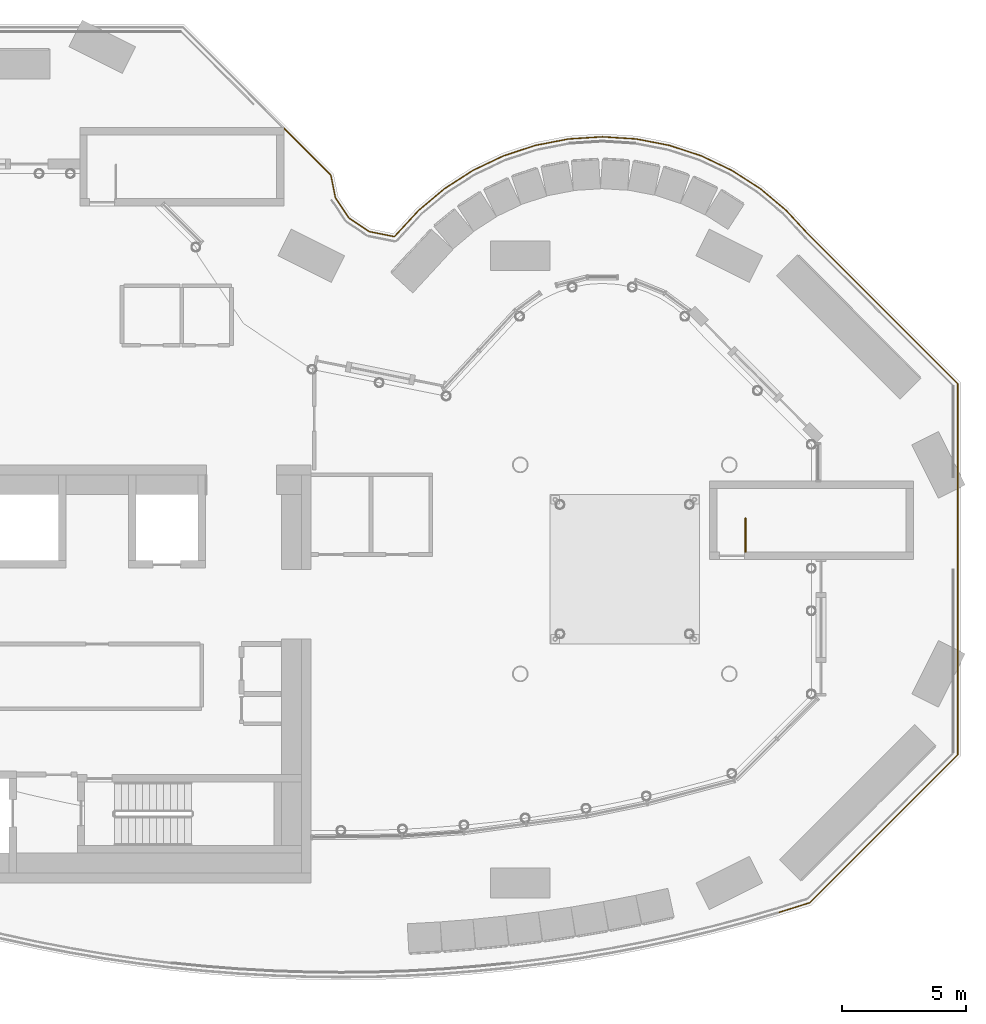
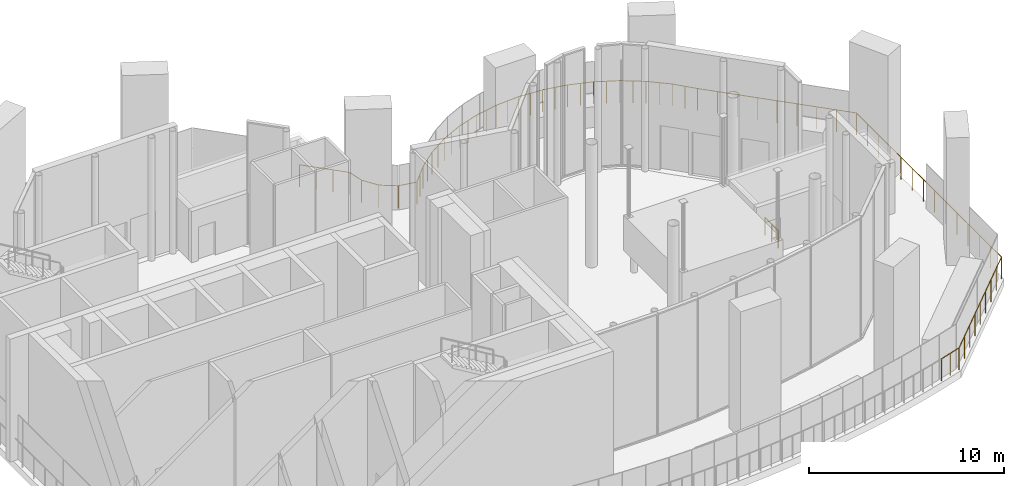
# One storey, part 14 of 14: 2 railings.
"""IFC4 building model written with IfcOpenShell, lengths in metres."""

from ifc_helpers import new_model, si_unit, direction, frame, origin, origin_2d, place, context, subcontext, project, spatial, circle, extrude, material, type_object, element, save


model = new_model("IFC4")

# Units and contexts
model_context = context("Model", 3, precision=1e-05, world=origin(), true_north=direction((0.0, 1.0)))
body_context = subcontext(model_context, "Body", "Model", "MODEL_VIEW")
ifc_project = project(units=[si_unit("LENGTHUNIT", "METRE"), si_unit("AREAUNIT", "SQUARE_METRE"), si_unit("VOLUMEUNIT", "CUBIC_METRE"), si_unit("PLANEANGLEUNIT", "RADIAN"), si_unit("MASSUNIT", "GRAM", prefix="KILO")], contexts=[model_context])

# Site, building, storey
site_placement = place(None, origin())
site = spatial("IfcSite", under=ifc_project, at=site_placement, CompositionType="ELEMENT")
building_placement = place(site_placement, origin())
building = spatial("IfcBuilding", under=site, at=building_placement, Name="Brevane Broadcast Tower", CompositionType="ELEMENT")
storey_placement = place(building_placement, frame((0.0, 0.0, 256.199951171875)))
storey = spatial("IfcBuildingStorey", under=building, at=storey_placement, Name="L65", CompositionType="ELEMENT", Elevation=256.199951171875)

# Railings
ifc_material_1 = material(Name="Stainless steel 1.4404", Category="steel")
railing_type_1 = type_object("IfcRailingType", Name="Deck guard 1400", PredefinedType="GUARDRAIL", material=ifc_material_1)
railing_1_placement = place(storey_placement, frame((24.10009765625, 30.330322265625, 0.0)))
element("IfcRailing", 1, at=railing_1_placement, inside=storey, type_object=railing_type_1, Name="Deck guard", PredefinedType="GUARDRAIL", context=body_context, shape_type="SweptSolid", body=[
    extrude(circle(Radius=0.02392578125, at=origin_2d()), frame((0.0, 0.0, 1.3759765625), z_axis=(0.707106781187, -0.707106781187, 0.0), x_axis=(0.707106781187, 0.707106781187, 0.0)), (0.0, 0.0, 1.0), 2.672119140625),
    extrude(circle(Radius=0.02392578125, at=origin_2d()), frame((1.889404296875, -1.889404296875, 1.3759765625), z_axis=(0.194998132227, -0.980803613588, 0.0), x_axis=(0.980803613588, 0.194998132227, 0.0)), (0.0, 0.0, 1.0), 0.924072265625),
    extrude(circle(Radius=0.02392578125, at=origin_2d()), frame((2.069580078125, -2.795654296875, 1.3759765625), z_axis=(0.555444205067, -0.831553807674, 0.0), x_axis=(0.831553807674, 0.555444205067, 0.0)), (0.0, 0.0, 1.0), 0.984130859375),
    extrude(circle(Radius=0.02392578125, at=origin_2d()), frame((2.6162109375, -3.614013671875, 1.3759765625), z_axis=(0.831553807674, -0.555444205067, 0.0), x_axis=(0.555444205067, 0.831553807674, 0.0)), (0.0, 0.0, 1.0), 0.984130859375),
    extrude(circle(Radius=0.02392578125, at=origin_2d()), frame((3.4345703125, -4.16064453125, 1.3759765625), z_axis=(0.980790292353, -0.195065123552, 0.0), x_axis=(0.195065123552, 0.980790292353, 0.0)), (0.0, 0.0, 1.0), 1.027587890625),
    extrude(circle(Radius=0.02392578125, at=origin_2d()), frame((4.4423828125, -4.361083984375, 1.3759765625), z_axis=(0.67842872703, 0.734666225126, 0.0), x_axis=(-0.734666225126, 0.67842872703, 0.0)), (0.0, 0.0, 1.0), 1.4326171875),
    extrude(circle(Radius=0.02392578125, at=origin_2d()), frame((5.414306640625, -3.30859375, 1.3759765625), z_axis=(0.765842999644, 0.643027604303, 0.0), x_axis=(-0.643027604303, 0.765842999644, 0.0)), (0.0, 0.0, 1.0), 1.357666015625),
    extrude(circle(Radius=0.02392578125, at=origin_2d()), frame((6.4541015625, -2.435546875, 1.3759765625), z_axis=(0.841120050608, 0.540848463495, 0.0), x_axis=(-0.540848463495, 0.841120050608, 0.0)), (0.0, 0.0, 1.0), 1.35791015625),
    extrude(circle(Radius=0.02392578125, at=origin_2d()), frame((7.59619140625, -1.701171875, 1.3759765625), z_axis=(0.902857195022, 0.429940560306, 0.0), x_axis=(-0.429940560306, 0.902857195022, 0.0)), (0.0, 0.0, 1.0), 1.357666015625),
    extrude(circle(Radius=0.02392578125, at=origin_2d()), frame((8.822021484375, -1.117431640625, 1.3759765625), z_axis=(0.950023368499, 0.312178793813, 0.0), x_axis=(-0.312178793813, 0.950023368499, 0.0)), (0.0, 0.0, 1.0), 1.357666015625),
    extrude(circle(Radius=0.02392578125, at=origin_2d()), frame((10.11181640625, -0.693603515625, 1.3759765625), z_axis=(0.981939682396, 0.189194239172, 0.0), x_axis=(-0.189194239172, 0.981939682396, 0.0)), (0.0, 0.0, 1.0), 1.357421875),
    extrude(circle(Radius=0.02392578125, at=origin_2d()), frame((11.44482421875, -0.436767578125, 1.3759765625), z_axis=(0.997983407217, 0.063475341036, 0.0), x_axis=(-0.063475341036, 0.997983407217, 0.0)), (0.0, 0.0, 1.0), 1.357666015625),
    extrude(circle(Radius=0.02392578125, at=origin_2d()), frame((12.7998046875, -0.3505859375, 1.3759765625), z_axis=(0.997983407217, -0.063475341036, 0.0), x_axis=(0.063475341036, 0.997983407217, 0.0)), (0.0, 0.0, 1.0), 1.357666015625),
    extrude(circle(Radius=0.02392578125, at=origin_2d()), frame((14.15478515625, -0.436767578125, 1.3759765625), z_axis=(0.981946118054, -0.189160834315, 0.0), x_axis=(0.189160834315, 0.981946118054, 0.0)), (0.0, 0.0, 1.0), 1.357666015625),
    extrude(circle(Radius=0.02392578125, at=origin_2d()), frame((15.488037109375, -0.693603515625, 1.3759765625), z_axis=(0.950023368499, -0.312178793813, 0.0), x_axis=(0.312178793813, 0.950023368499, 0.0)), (0.0, 0.0, 1.0), 1.357666015625),
    extrude(circle(Radius=0.02392578125, at=origin_2d()), frame((16.77783203125, -1.117431640625, 1.3759765625), z_axis=(0.902857195022, -0.429940560306, 0.0), x_axis=(0.429940560306, 0.902857195022, 0.0)), (0.0, 0.0, 1.0), 1.357666015625),
    extrude(circle(Radius=0.02392578125, at=origin_2d()), frame((18.003662109375, -1.701171875, 1.3759765625), z_axis=(0.841120050608, -0.540848463495, 0.0), x_axis=(0.540848463495, 0.841120050608, 0.0)), (0.0, 0.0, 1.0), 1.35791015625),
    extrude(circle(Radius=0.02392578125, at=origin_2d()), frame((19.145751953125, -2.435546875, 1.3759765625), z_axis=(0.765842999644, -0.643027604303, 0.0), x_axis=(0.643027604303, 0.765842999644, 0.0)), (0.0, 0.0, 1.0), 1.357666015625),
    extrude(circle(Radius=0.02392578125, at=origin_2d()), frame((20.185546875, -3.30859375, 1.3759765625), z_axis=(0.678339413874, -0.734748691449, 0.0), x_axis=(0.734748691449, 0.678339413874, 0.0)), (0.0, 0.0, 1.0), 1.36767578125),
    extrude(circle(Radius=0.02392578125, at=origin_2d()), frame((21.11328125, -4.3134765625, 1.3759765625), z_axis=(0.707106781187, -0.707106781187, 0.0), x_axis=(0.707106781187, 0.707106781187, 0.0)), (0.0, 0.0, 1.0), 8.43798828125),
    extrude(circle(Radius=0.02392578125, at=origin_2d()), frame((27.079833984375, -10.280029296875, 1.3759765625), z_axis=(0.0, -1.0, 0.0), x_axis=(1.0, 0.0, 0.0)), (0.0, 0.0, 1.0), 14.900634765625),
    extrude(circle(Radius=0.02392578125, at=origin_2d()), frame((27.079833984375, -25.1806640625, 1.3759765625), z_axis=(-0.707106781187, -0.707106781187, 0.0), x_axis=(0.707106781187, -0.707106781187, 0.0)), (0.0, 0.0, 1.0), 8.40576171875),
    extrude(circle(Radius=0.02392578125, at=origin_2d()), frame((21.135986328125, -31.12451171875, 1.3759765625), z_axis=(-0.9542758007, -0.298927576845, 0.0), x_axis=(0.298927576845, -0.9542758007, 0.0)), (0.0, 0.0, 1.0), 1.341796875),
    extrude(circle(Radius=0.02099609375, at=origin_2d()), origin(), (0.0, 0.0, 1.0), 1.351806640625),
    extrude(circle(Radius=0.02099609375, at=origin_2d()), frame((0.6298828125, -0.6298828125, 0.0)), (0.0, 0.0, 1.0), 1.351806640625),
    extrude(circle(Radius=0.02099609375, at=origin_2d()), frame((1.259521484375, -1.259521484375, 0.0)), (0.0, 0.0, 1.0), 1.351806640625),
    extrude(circle(Radius=0.02099609375, at=origin_2d()), frame((1.889404296875, -1.889404296875, 0.0)), (0.0, 0.0, 1.0), 1.351806640625),
    extrude(circle(Radius=0.02099609375, at=origin_2d()), frame((2.069580078125, -2.795654296875, 0.0)), (0.0, 0.0, 1.0), 1.351806640625),
    extrude(circle(Radius=0.02099609375, at=origin_2d()), frame((2.6162109375, -3.614013671875, 0.0)), (0.0, 0.0, 1.0), 1.351806640625),
    extrude(circle(Radius=0.02099609375, at=origin_2d()), frame((3.4345703125, -4.16064453125, 0.0)), (0.0, 0.0, 1.0), 1.351806640625),
    extrude(circle(Radius=0.02099609375, at=origin_2d()), frame((4.4423828125, -4.361083984375, 0.0)), (0.0, 0.0, 1.0), 1.351806640625),
    extrude(circle(Radius=0.02099609375, at=origin_2d()), frame((4.92822265625, -3.8349609375, 0.0)), (0.0, 0.0, 1.0), 1.351806640625),
    extrude(circle(Radius=0.02099609375, at=origin_2d()), frame((5.414306640625, -3.30859375, 0.0)), (0.0, 0.0, 1.0), 1.351806640625),
    extrude(circle(Radius=0.02099609375, at=origin_2d()), frame((5.93408203125, -2.8720703125, 0.0)), (0.0, 0.0, 1.0), 1.351806640625),
    extrude(circle(Radius=0.02099609375, at=origin_2d()), frame((6.4541015625, -2.435546875, 0.0)), (0.0, 0.0, 1.0), 1.351806640625),
    extrude(circle(Radius=0.02099609375, at=origin_2d()), frame((7.025146484375, -2.068359375, 0.0)), (0.0, 0.0, 1.0), 1.351806640625),
    extrude(circle(Radius=0.02099609375, at=origin_2d()), frame((7.59619140625, -1.701171875, 0.0)), (0.0, 0.0, 1.0), 1.351806640625),
    extrude(circle(Radius=0.02099609375, at=origin_2d()), frame((8.208984375, -1.4091796875, 0.0)), (0.0, 0.0, 1.0), 1.351806640625),
    extrude(circle(Radius=0.02099609375, at=origin_2d()), frame((8.822021484375, -1.117431640625, 0.0)), (0.0, 0.0, 1.0), 1.351806640625),
    extrude(circle(Radius=0.02099609375, at=origin_2d()), frame((9.466796875, -0.905517578125, 0.0)), (0.0, 0.0, 1.0), 1.351806640625),
    extrude(circle(Radius=0.02099609375, at=origin_2d()), frame((10.11181640625, -0.693603515625, 0.0)), (0.0, 0.0, 1.0), 1.351806640625),
    extrude(circle(Radius=0.02099609375, at=origin_2d()), frame((10.7783203125, -0.565185546875, 0.0)), (0.0, 0.0, 1.0), 1.351806640625),
    extrude(circle(Radius=0.02099609375, at=origin_2d()), frame((11.44482421875, -0.436767578125, 0.0)), (0.0, 0.0, 1.0), 1.351806640625),
    extrude(circle(Radius=0.02099609375, at=origin_2d()), frame((12.122314453125, -0.3935546875, 0.0)), (0.0, 0.0, 1.0), 1.351806640625),
    extrude(circle(Radius=0.02099609375, at=origin_2d()), frame((12.7998046875, -0.3505859375, 0.0)), (0.0, 0.0, 1.0), 1.351806640625),
    extrude(circle(Radius=0.02099609375, at=origin_2d()), frame((13.477294921875, -0.3935546875, 0.0)), (0.0, 0.0, 1.0), 1.351806640625),
    extrude(circle(Radius=0.02099609375, at=origin_2d()), frame((14.15478515625, -0.436767578125, 0.0)), (0.0, 0.0, 1.0), 1.351806640625),
    extrude(circle(Radius=0.02099609375, at=origin_2d()), frame((14.8212890625, -0.565185546875, 0.0)), (0.0, 0.0, 1.0), 1.351806640625),
    extrude(circle(Radius=0.02099609375, at=origin_2d()), frame((15.488037109375, -0.693603515625, 0.0)), (0.0, 0.0, 1.0), 1.351806640625),
    extrude(circle(Radius=0.02099609375, at=origin_2d()), frame((16.1328125, -0.905517578125, 0.0)), (0.0, 0.0, 1.0), 1.351806640625),
    extrude(circle(Radius=0.02099609375, at=origin_2d()), frame((16.77783203125, -1.117431640625, 0.0)), (0.0, 0.0, 1.0), 1.351806640625),
    extrude(circle(Radius=0.02099609375, at=origin_2d()), frame((17.390625, -1.4091796875, 0.0)), (0.0, 0.0, 1.0), 1.351806640625),
    extrude(circle(Radius=0.02099609375, at=origin_2d()), frame((18.003662109375, -1.701171875, 0.0)), (0.0, 0.0, 1.0), 1.351806640625),
    extrude(circle(Radius=0.02099609375, at=origin_2d()), frame((18.57470703125, -2.068359375, 0.0)), (0.0, 0.0, 1.0), 1.351806640625),
    extrude(circle(Radius=0.02099609375, at=origin_2d()), frame((19.145751953125, -2.435546875, 0.0)), (0.0, 0.0, 1.0), 1.351806640625),
    extrude(circle(Radius=0.02099609375, at=origin_2d()), frame((19.66552734375, -2.8720703125, 0.0)), (0.0, 0.0, 1.0), 1.351806640625),
    extrude(circle(Radius=0.02099609375, at=origin_2d()), frame((20.185546875, -3.30859375, 0.0)), (0.0, 0.0, 1.0), 1.351806640625),
    extrude(circle(Radius=0.02099609375, at=origin_2d()), frame((20.6494140625, -3.81103515625, 0.0)), (0.0, 0.0, 1.0), 1.351806640625),
    extrude(circle(Radius=0.02099609375, at=origin_2d()), frame((21.11328125, -4.3134765625, 0.0)), (0.0, 0.0, 1.0), 1.351806640625),
    extrude(circle(Radius=0.02099609375, at=origin_2d()), frame((21.859130859375, -5.059326171875, 0.0)), (0.0, 0.0, 1.0), 1.351806640625),
    extrude(circle(Radius=0.02099609375, at=origin_2d()), frame((22.60498046875, -5.80517578125, 0.0)), (0.0, 0.0, 1.0), 1.351806640625),
    extrude(circle(Radius=0.02099609375, at=origin_2d()), frame((23.350830078125, -6.551025390625, 0.0)), (0.0, 0.0, 1.0), 1.351806640625),
    extrude(circle(Radius=0.02099609375, at=origin_2d()), frame((24.0966796875, -7.296875, 0.0)), (0.0, 0.0, 1.0), 1.351806640625),
    extrude(circle(Radius=0.02099609375, at=origin_2d()), frame((24.84228515625, -8.04248046875, 0.0)), (0.0, 0.0, 1.0), 1.351806640625),
    extrude(circle(Radius=0.02099609375, at=origin_2d()), frame((25.588134765625, -8.788330078125, 0.0)), (0.0, 0.0, 1.0), 1.351806640625),
    extrude(circle(Radius=0.02099609375, at=origin_2d()), frame((26.333984375, -9.5341796875, 0.0)), (0.0, 0.0, 1.0), 1.351806640625),
    extrude(circle(Radius=0.02099609375, at=origin_2d()), frame((27.079833984375, -10.280029296875, 0.0)), (0.0, 0.0, 1.0), 1.351806640625),
    extrude(circle(Radius=0.02099609375, at=origin_2d()), frame((27.079833984375, -11.42626953125, 0.0)), (0.0, 0.0, 1.0), 1.351806640625),
    extrude(circle(Radius=0.02099609375, at=origin_2d()), frame((27.079833984375, -12.572509765625, 0.0)), (0.0, 0.0, 1.0), 1.351806640625),
    extrude(circle(Radius=0.02099609375, at=origin_2d()), frame((27.079833984375, -13.71875, 0.0)), (0.0, 0.0, 1.0), 1.351806640625),
    extrude(circle(Radius=0.02099609375, at=origin_2d()), frame((27.079833984375, -14.86474609375, 0.0)), (0.0, 0.0, 1.0), 1.351806640625),
    extrude(circle(Radius=0.02099609375, at=origin_2d()), frame((27.079833984375, -16.010986328125, 0.0)), (0.0, 0.0, 1.0), 1.351806640625),
    extrude(circle(Radius=0.02099609375, at=origin_2d()), frame((27.079833984375, -17.1572265625, 0.0)), (0.0, 0.0, 1.0), 1.351806640625),
    extrude(circle(Radius=0.02099609375, at=origin_2d()), frame((27.079833984375, -18.303466796875, 0.0)), (0.0, 0.0, 1.0), 1.351806640625),
    extrude(circle(Radius=0.02099609375, at=origin_2d()), frame((27.079833984375, -19.44970703125, 0.0)), (0.0, 0.0, 1.0), 1.351806640625),
    extrude(circle(Radius=0.02099609375, at=origin_2d()), frame((27.079833984375, -20.595947265625, 0.0)), (0.0, 0.0, 1.0), 1.351806640625),
    extrude(circle(Radius=0.02099609375, at=origin_2d()), frame((27.079833984375, -21.741943359375, 0.0)), (0.0, 0.0, 1.0), 1.351806640625),
    extrude(circle(Radius=0.02099609375, at=origin_2d()), frame((27.079833984375, -22.88818359375, 0.0)), (0.0, 0.0, 1.0), 1.351806640625),
    extrude(circle(Radius=0.02099609375, at=origin_2d()), frame((27.079833984375, -24.034423828125, 0.0)), (0.0, 0.0, 1.0), 1.351806640625),
    extrude(circle(Radius=0.02099609375, at=origin_2d()), frame((27.079833984375, -25.1806640625, 0.0)), (0.0, 0.0, 1.0), 1.351806640625),
    extrude(circle(Radius=0.02099609375, at=origin_2d()), frame((26.3369140625, -25.923583984375, 0.0)), (0.0, 0.0, 1.0), 1.351806640625),
    extrude(circle(Radius=0.02099609375, at=origin_2d()), frame((25.59375, -26.66650390625, 0.0)), (0.0, 0.0, 1.0), 1.351806640625),
    extrude(circle(Radius=0.02099609375, at=origin_2d()), frame((24.850830078125, -27.40966796875, 0.0)), (0.0, 0.0, 1.0), 1.351806640625),
    extrude(circle(Radius=0.02099609375, at=origin_2d()), frame((24.10791015625, -28.152587890625, 0.0)), (0.0, 0.0, 1.0), 1.351806640625),
    extrude(circle(Radius=0.02099609375, at=origin_2d()), frame((23.364990234375, -28.8955078125, 0.0)), (0.0, 0.0, 1.0), 1.351806640625),
    extrude(circle(Radius=0.02099609375, at=origin_2d()), frame((22.6220703125, -29.638671875, 0.0)), (0.0, 0.0, 1.0), 1.351806640625),
    extrude(circle(Radius=0.02099609375, at=origin_2d()), frame((21.87890625, -30.381591796875, 0.0)), (0.0, 0.0, 1.0), 1.351806640625),
    extrude(circle(Radius=0.02099609375, at=origin_2d()), frame((21.135986328125, -31.12451171875, 0.0)), (0.0, 0.0, 1.0), 1.351806640625),
    extrude(circle(Radius=0.02099609375, at=origin_2d()), frame((20.49560546875, -31.3251953125, 0.0)), (0.0, 0.0, 1.0), 1.351806640625),
    extrude(circle(Radius=0.02099609375, at=origin_2d()), frame((19.85546875, -31.525634765625, 0.0)), (0.0, 0.0, 1.0), 1.351806640625),
])
ifc_material_2 = material(Name="Steel S355", Category="steel")
railing_type_2 = type_object("IfcRailingType", Name="Exit stair guard", PredefinedType="GUARDRAIL", material=ifc_material_2)
railing_2_placement = place(storey_placement, frame((42.64990234375, 13.300048828125, 0.0)))
element("IfcRailing", 2, at=railing_2_placement, inside=storey, type_object=railing_type_2, Name="L65 ST-4 top well guard 1", PredefinedType="GUARDRAIL", context=body_context, shape_type="SweptSolid", body=[
    extrude(circle(Radius=0.02392578125, at=origin_2d()), frame((0.0, 0.0, 1.076171875), z_axis=(0.0, 1.0, 0.0), x_axis=(-1.0, 0.0, 0.0)), (0.0, 0.0, 1.0), 1.349853515625),
    extrude(circle(Radius=0.02099609375, at=origin_2d()), origin(), (0.0, 0.0, 1.0), 1.052001953125),
    extrude(circle(Radius=0.02099609375, at=origin_2d()), frame((0.0, 0.6748046875, 0.0)), (0.0, 0.0, 1.0), 1.052001953125),
    extrude(circle(Radius=0.02099609375, at=origin_2d()), frame((0.0, 1.349853515625, 0.0)), (0.0, 0.0, 1.0), 1.052001953125),
])

save(model, "model.ifc")
